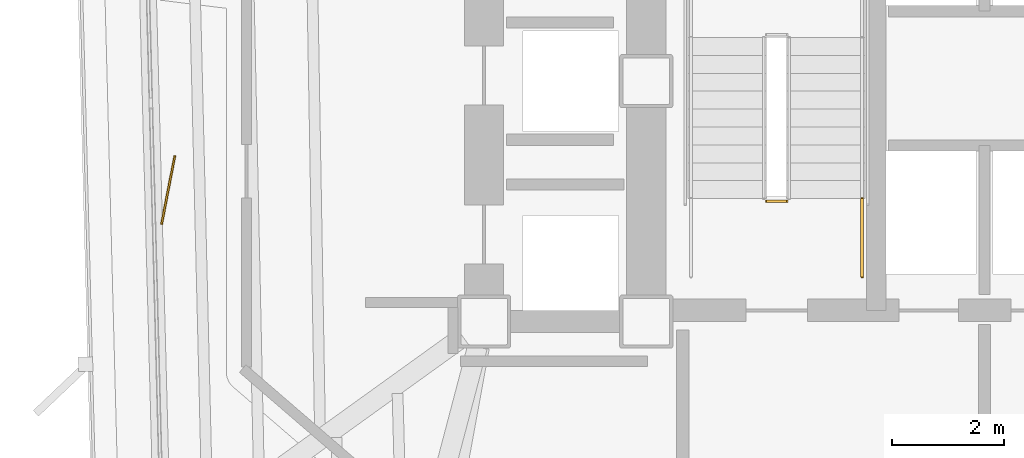
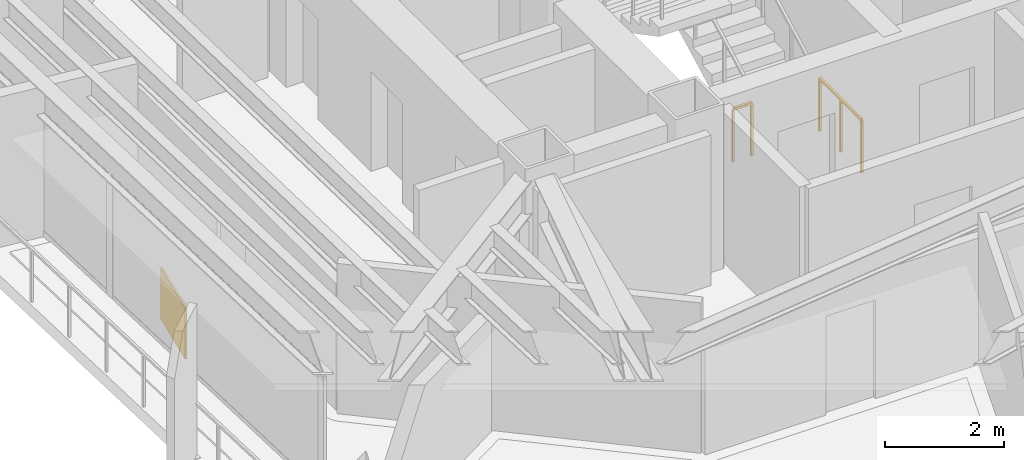
# One storey, part 11 of 14: 2 railings, 1 covering.
"""IFC4 building model written with IfcOpenShell, lengths in metres."""

from ifc_helpers import new_model, si_unit, direction, frame, origin, origin_2d, place, context, subcontext, project, spatial, rectangle, extrude, material, layer, layer_set, type_object, element, save


model = new_model("IFC4")

# Units and contexts
model_context = context("Model", 3, precision=1e-05, world=origin(), true_north=direction((0.0, 1.0)))
body_context = subcontext(model_context, "Body", "Model", "MODEL_VIEW")
ifc_project = project(units=[si_unit("LENGTHUNIT", "METRE"), si_unit("AREAUNIT", "SQUARE_METRE"), si_unit("VOLUMEUNIT", "CUBIC_METRE"), si_unit("PLANEANGLEUNIT", "RADIAN"), si_unit("MASSUNIT", "GRAM", prefix="KILO")], contexts=[model_context])

# Site, building, storey
site_placement = place(None, origin())
site = spatial("IfcSite", under=ifc_project, at=site_placement, CompositionType="ELEMENT")
building_placement = place(site_placement, origin())
building = spatial("IfcBuilding", under=site, at=building_placement, Name="Rocaltana Carrier Exchange", CompositionType="ELEMENT")
storey_placement = place(building_placement, frame((0.0, 0.0, 28.9599609375)))
storey = spatial("IfcBuildingStorey", under=building, at=storey_placement, Name="L09", CompositionType="ELEMENT", Elevation=28.9599609375)

# Railings
ifc_material_1 = material(Name="Powder-Coated Aluminium 6063-T6", Category="aluminium")
ifc_layer_1 = layer(ifc_material_1, 0.048095703125)
ifc_layer_set_1 = layer_set([ifc_layer_1], Name="Powder-Coated Aluminium 6063-T6")
railing_type = type_object("IfcRailingType", Name="Stair Well Guardrail 1100", PredefinedType="GUARDRAIL", material=ifc_layer_set_1)
railing_1_placement = place(storey_placement, frame((-3.5400390625, -2.14990234375, 0.0)))
element("IfcRailing", 1, at=railing_1_placement, inside=storey, type_object=railing_type, Name="L09 ST-1 stair guard 7", PredefinedType="GUARDRAIL", context=body_context, shape_type="SweptSolid", body=[
    extrude(rectangle(XDim=0.048095703125, YDim=0.048095703125, at=origin_2d()), frame((0.0, 0.0, 1.076171875), z_axis=(-1.0, 0.0, 0.0), x_axis=(0.0, -1.0, 0.0)), (0.0, 0.0, 1.0), 0.35986328125),
    extrude(rectangle(XDim=0.0419921875, YDim=0.0419921875, at=origin_2d()), origin(), (0.0, 0.0, 1.0), 1.052001953125),
    extrude(rectangle(XDim=0.0419921875, YDim=0.0419921875, at=origin_2d()), frame((-0.35986328125, 0.0, 0.0)), (0.0, 0.0, 1.0), 1.052001953125),
])
railing_2_placement = place(storey_placement, frame((-2.18994140625, -3.5, 0.0)))
element("IfcRailing", 2, at=railing_2_placement, inside=storey, type_object=railing_type, Name="L09 ST-1 stair guard 8", PredefinedType="GUARDRAIL", context=body_context, shape_type="SweptSolid", body=[
    extrude(rectangle(XDim=0.048095703125, YDim=0.048095703125, at=origin_2d()), frame((0.0, 0.0, 1.076171875), z_axis=(0.0, 1.0, 0.0), x_axis=(-1.0, 0.0, 0.0)), (0.0, 0.0, 1.0), 1.39990234375),
    extrude(rectangle(XDim=0.0419921875, YDim=0.0419921875, at=origin_2d()), origin(), (0.0, 0.0, 1.0), 1.052001953125),
    extrude(rectangle(XDim=0.0419921875, YDim=0.0419921875, at=origin_2d()), frame((0.0, 0.699951171875, 0.0)), (0.0, 0.0, 1.0), 1.052001953125),
    extrude(rectangle(XDim=0.0419921875, YDim=0.0419921875, at=origin_2d()), frame((0.0, 1.39990234375, 0.0)), (0.0, 0.0, 1.0), 1.052001953125),
])

# Covering
ifc_material_2 = material(Name="Honed Piedra Muneca Sandstone", Category="masonry")
ifc_layer_2 = layer(ifc_material_2, 0.034912109375)
ifc_layer_set_2 = layer_set([ifc_layer_2], Name="Honed Piedra Muneca Sandstone")
covering_type = type_object("IfcCoveringType", Name="Stone Facade Cladding 35", PredefinedType="CLADDING", material=ifc_layer_set_2)
covering_placement = place(storey_placement, frame((-14.60009765625, -1.948974609375, 0.0), z_axis=(0.0, 0.0, 1.0), x_axis=(0.190808995377, 0.981627183448, 0.0)))
element("IfcCovering", 3, at=covering_placement, inside=storey, type_object=covering_type, Name="L09 Stone Facade Cladding Panel 1", PredefinedType="CLADDING", context=body_context, shape_type="SweptSolid", body=[
    extrude(rectangle(XDim=1.25, YDim=0.034912109375, at=origin_2d()), origin(), (0.0, 0.0, 1.0), 1.050048828125),
])

save(model, "model.ifc")
